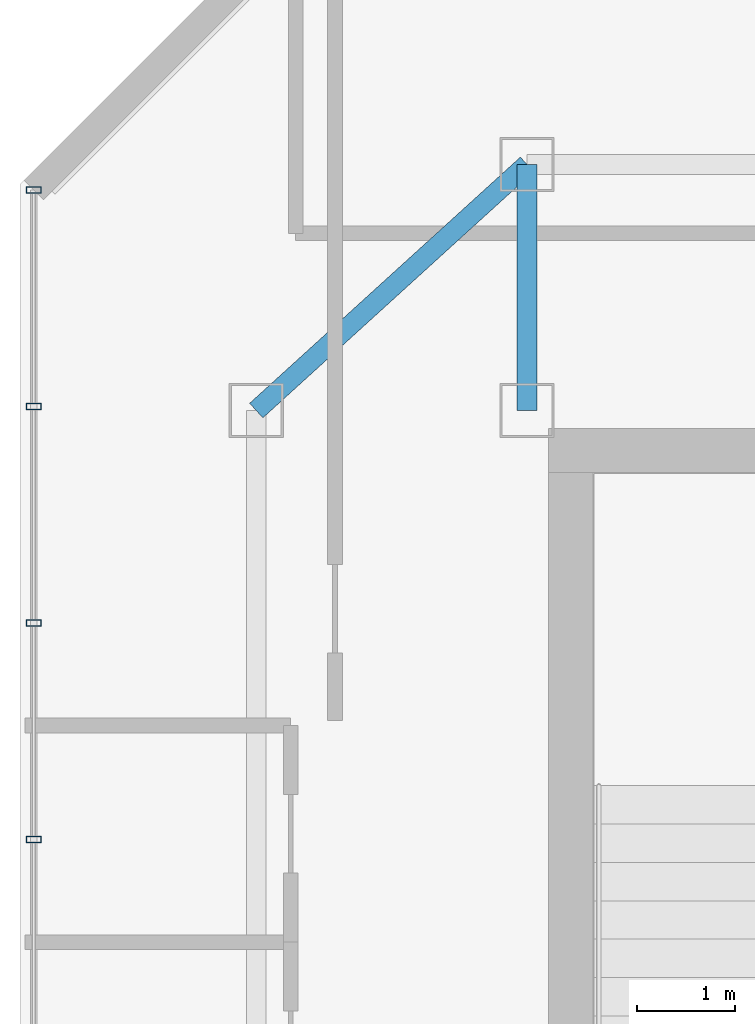
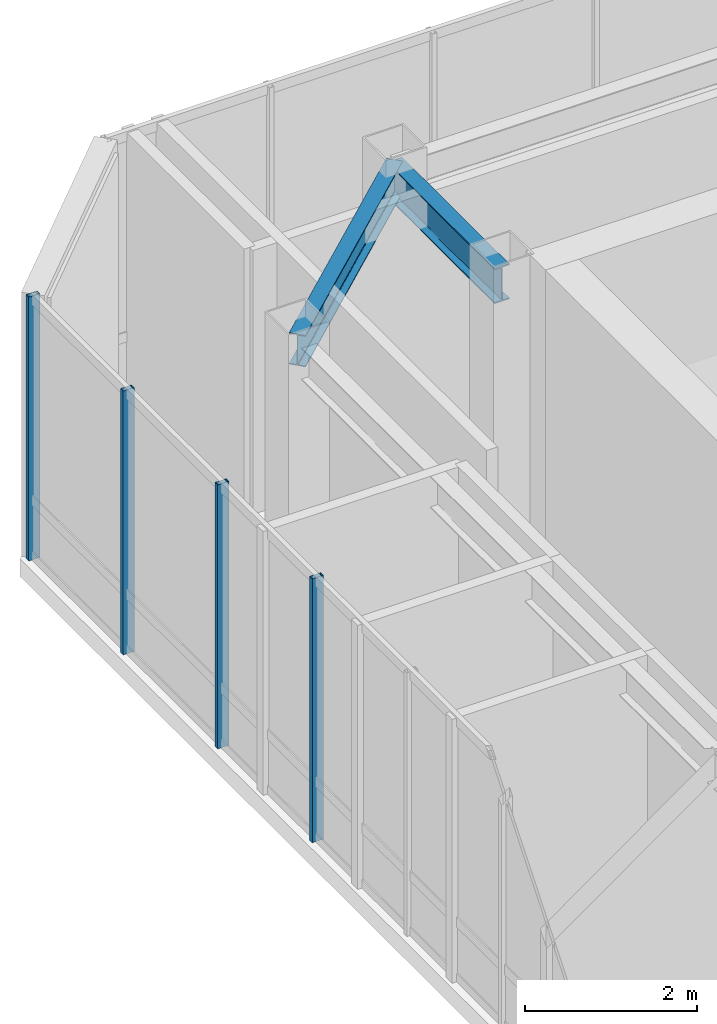
# One storey, part 9 of 23: 4 members, 2 beams, 1 element without a shape of its own.
"""IFC4 building model written with IfcOpenShell, lengths in metres."""

import ifcopenshell
import ifcopenshell.guid

model = None  # the IFC model being written
_history = None  # IfcOwnerHistory: only IFC2X3 demands one
_inside = {}  # id of a spatial element -> (the spatial element, [elements in it])
_under = {}  # id of a project, library or spatial element -> (it, [spatial elements below it])
_declared = {}  # id of a project -> (the project, [libraries it declares])
_typed = {}  # id of a type object -> (the type object, [elements of that type])
_made_of = {}  # id of a material, layer set ... -> (it, [elements and type objects made of it])


def new_model(schema):
    """Start an empty IFC model of exactly this schema.

    Asked for "IFC4X3", IfcOpenShell would pick the latest addendum, in which some entities
    have other attributes; the version numbers below select the first issue.
    IFC2X3 requires an IfcOwnerHistory on every rooted entity: one is made here for all.
    """
    global model, _history
    if schema == "IFC4X3":
        model = ifcopenshell.file(schema_version=(4, 3, 0, 0))
    else:
        model = ifcopenshell.file(schema=schema)
    _inside.clear()
    _under.clear()
    _declared.clear()
    _typed.clear()
    _made_of.clear()
    _history = None
    if model.schema == "IFC2X3":
        org = make("IfcOrganization", Name="unknown")
        user = make(
            "IfcPersonAndOrganization",
            ThePerson=make("IfcPerson", FamilyName="unknown"),
            TheOrganization=org,
        )
        app = make(
            "IfcApplication",
            ApplicationDeveloper=org,
            Version="unknown",
            ApplicationFullName="unknown",
            ApplicationIdentifier="unknown",
        )
        _history = make(
            "IfcOwnerHistory",
            OwningUser=user,
            OwningApplication=app,
            ChangeAction="ADDED",
            CreationDate=0,
        )
    return model


def make(cls, **values):
    """One entity of the class cls with the attributes given. An attribute that is None is left unset."""
    return model.create_entity(
        cls, **{name: value for name, value in values.items() if value is not None}
    )


def rooted(cls, **values):
    """An entity with a GlobalId (a new one), such as an element, a storey or a relation."""
    return make(cls, GlobalId=ifcopenshell.guid.new(), OwnerHistory=_history, **values)


def si_unit(unit_type, name, prefix=None):
    """IfcSIUnit, for example si_unit("LENGTHUNIT", "METRE", prefix="MILLI")."""
    return make("IfcSIUnit", UnitType=unit_type, Prefix=prefix, Name=name)


def assignment(units):
    """IfcUnitAssignment: the units of a project."""
    return None if units is None else make("IfcUnitAssignment", Units=units)


def point(xyz):
    """IfcCartesianPoint."""
    return None if xyz is None else make("IfcCartesianPoint", Coordinates=xyz)


def direction(xyz):
    """IfcDirection."""
    return None if xyz is None else make("IfcDirection", DirectionRatios=xyz)


def frame(location, z_axis=None, x_axis=None):
    """IfcAxis2Placement3D, a coordinate frame: its origin and axes. An axis left out is left unset."""
    return make(
        "IfcAxis2Placement3D",
        Location=point(location),
        Axis=direction(z_axis),
        RefDirection=direction(x_axis),
    )


def frame_2d(location, x_axis=None):
    """IfcAxis2Placement2D, a coordinate frame in the plane: its origin and x axis."""
    return make(
        "IfcAxis2Placement2D", Location=point(location), RefDirection=direction(x_axis)
    )


def origin():
    """The frame at (0, 0, 0) with its axes left unset."""
    return frame((0.0, 0.0, 0.0))


def origin_2d():
    """The frame at (0, 0) in the plane with its x axis left unset."""
    return frame_2d((0.0, 0.0))


def place(relative_to, where):
    """IfcLocalPlacement: puts the frame where relative to a parent placement (None: the world)."""
    return make(
        "IfcLocalPlacement", PlacementRelTo=relative_to, RelativePlacement=where
    )


def context(
    kind, dimensions, precision=None, world=None, true_north=None, identifier=None
):
    """IfcGeometricRepresentationContext, for example the 3D "Model" context."""
    return make(
        "IfcGeometricRepresentationContext",
        ContextIdentifier=identifier,
        ContextType=kind,
        CoordinateSpaceDimension=dimensions,
        Precision=precision,
        WorldCoordinateSystem=world,
        TrueNorth=true_north,
    )


def subcontext(parent, identifier, kind, view, scale=None):
    """IfcGeometricRepresentationSubContext, for example "Body" below "Model"."""
    return make(
        "IfcGeometricRepresentationSubContext",
        ContextIdentifier=identifier,
        ContextType=kind,
        ParentContext=parent,
        TargetScale=scale,
        TargetView=view,
    )


def project(units=None, contexts=None):
    """IfcProject with its units and contexts."""
    return rooted(
        "IfcProject",
        Name="project",
        RepresentationContexts=contexts,
        UnitsInContext=assignment(units),
    )


def spatial(cls, under=None, at=None, **own):
    """A site, building, storey or space (cls), placed at a placement, below another one or the project."""
    s = rooted(cls, ObjectPlacement=at, **own)
    if under is not None:
        _under.setdefault(under.id(), (under, []))[1].append(s)
    return s


def profile(cls, at=None, kind="AREA", **sizes):
    """A parametric profile (cls). Its sizes go by their IFC names, for example OverallWidth=200.0."""
    return make(cls, ProfileType=kind, Position=at, **sizes)


def hollow_rectangle(**sizes):
    """IfcRectangleHollowProfileDef."""
    return profile("IfcRectangleHollowProfileDef", **sizes)


def i_section(**sizes):
    """IfcIShapeProfileDef."""
    return profile("IfcIShapeProfileDef", **sizes)


def extrude(swept, where, along, depth):
    """IfcExtrudedAreaSolid: the profile swept, set in the frame where, extruded along a direction by depth."""
    return make(
        "IfcExtrudedAreaSolid",
        SweptArea=swept,
        Position=where,
        ExtrudedDirection=direction(along),
        Depth=depth,
    )


def shape(context_of_items, identifier, shape_type, items):
    """IfcShapeRepresentation: the items that make up one representation, for example the "Body"."""
    return make(
        "IfcShapeRepresentation",
        ContextOfItems=context_of_items,
        RepresentationIdentifier=identifier,
        RepresentationType=shape_type,
        Items=items,
    )


def material(Name=None, Category=None):
    """IfcMaterial."""
    return make("IfcMaterial", Name=Name, Category=Category)


def layer(
    of_material, thickness, ventilated=None, Name=None, Category=None, Priority=None
):
    """IfcMaterialLayer: one layer of a wall or slab, of a material (None: an air gap)."""
    return make(
        "IfcMaterialLayer",
        Material=of_material,
        LayerThickness=thickness,
        IsVentilated=ventilated,
        Name=Name,
        Category=Category,
        Priority=Priority,
    )


def layer_set(layers, Name=None):
    """IfcMaterialLayerSet."""
    return make("IfcMaterialLayerSet", MaterialLayers=layers, LayerSetName=Name)


def material_profile(
    of_material, cross_section, Name=None, Category=None, Priority=None
):
    """IfcMaterialProfile: a cross section and its material."""
    return make(
        "IfcMaterialProfile",
        Name=Name,
        Material=of_material,
        Profile=cross_section,
        Priority=Priority,
        Category=Category,
    )


def profile_set(profiles, Name=None, composite=None):
    """IfcMaterialProfileSet."""
    return make(
        "IfcMaterialProfileSet",
        Name=Name,
        MaterialProfiles=profiles,
        CompositeProfile=composite,
    )


def made_of(thing, what):
    """Note that an element or type object is made of a material, layer set ...; save() writes the relation."""
    if what is not None:
        _made_of.setdefault(what.id(), (what, []))[1].append(thing)
    return thing


def type_object(cls, material=None, **own):
    """A type object (cls), such as IfcWallType, which elements share."""
    return made_of(rooted(cls, **own), material)


def element(
    cls,
    number,
    at=None,
    inside=None,
    cuts=None,
    type_object=None,
    material=None,
    context=None,
    identifier="Body",
    shape_type=None,
    held_by="IfcProductDefinitionShape",
    body=None,
    shapes=None,
    **own,
):
    """One element of the class cls, such as IfcWall. Its Tag is "e" and its number.

    at: its placement. inside: the storey or other place that contains it. cuts: it is an
    opening in that element (IfcRelVoidsElement). A single representation is given by context,
    identifier, shape_type and body (its items); several are given by shapes. held_by: the class
    of the entity that holds the representations. save() writes the other relations.
    """
    e = rooted(cls, Tag="e%d" % number, ObjectPlacement=at, **own)
    if body is not None:
        shapes = [shape(context, identifier, shape_type, body)]
    if shapes is not None:
        e.Representation = make(held_by, Representations=shapes)
    if inside is not None:
        _inside.setdefault(inside.id(), (inside, []))[1].append(e)
    if cuts is not None:
        rooted(
            "IfcRelVoidsElement", RelatingBuildingElement=cuts, RelatedOpeningElement=e
        )
    if type_object is not None:
        _typed.setdefault(type_object.id(), (type_object, []))[1].append(e)
    return made_of(e, material)


def aggregate(whole, parts):
    """IfcRelAggregates: a whole, such as a stair, and the parts it consists of."""
    return rooted("IfcRelAggregates", RelatingObject=whole, RelatedObjects=parts)


def save(model, path):
    """Write the relations noted so far, then the file.

    IfcRelAggregates (storeys below a building ...), IfcRelContainedInSpatialStructure (elements
    in a storey), IfcRelDefinesByType, IfcRelAssociatesMaterial and IfcRelDeclares: one each for
    every whole, place, type object, material and project.
    """
    for whole, parts in _under.values():
        aggregate(whole, parts)
    for where, things in _inside.values():
        rooted(
            "IfcRelContainedInSpatialStructure",
            RelatedElements=things,
            RelatingStructure=where,
        )
    for kind, things in _typed.values():
        rooted("IfcRelDefinesByType", RelatedObjects=things, RelatingType=kind)
    for what, things in _made_of.values():
        rooted("IfcRelAssociatesMaterial", RelatedObjects=things, RelatingMaterial=what)
    for by, libraries in _declared.values():
        rooted("IfcRelDeclares", RelatingContext=by, RelatedDefinitions=libraries)
    model.write(path)


model = new_model("IFC4")

# Units and contexts
model_context = context("Model", 3, precision=1e-05, world=origin(), true_north=direction((0.0, 1.0)))
body_context = subcontext(model_context, "Body", "Model", "MODEL_VIEW")
ifc_project = project(units=[si_unit("LENGTHUNIT", "METRE"), si_unit("AREAUNIT", "SQUARE_METRE"), si_unit("VOLUMEUNIT", "CUBIC_METRE"), si_unit("PLANEANGLEUNIT", "RADIAN"), si_unit("MASSUNIT", "GRAM", prefix="KILO")], contexts=[model_context])

# Site, building, storey
site_placement = place(None, origin())
site = spatial("IfcSite", under=ifc_project, at=site_placement, CompositionType="ELEMENT")
building_placement = place(site_placement, origin())
building = spatial("IfcBuilding", under=site, at=building_placement, Name="Hatsunagi Terrace Concourse", CompositionType="ELEMENT")
storey_placement = place(building_placement, frame((0.0, 0.0, 281.949951171875)))
storey = spatial("IfcBuildingStorey", under=building, at=storey_placement, Name="L74", CompositionType="ELEMENT", Elevation=281.949951171875)

# Beam
ifc_material_1 = material(Name="Steel SN490B", Category="steel")
ifc_material_profile_1 = material_profile(ifc_material_1, i_section(OverallWidth=0.199951171875, OverallDepth=0.5, WebThickness=0.010009765625, FlangeThickness=0.01611328125, FilletRadius=0.01611328125, at=origin_2d()), Name="H-500x200x10x16")
ifc_profile_set_1 = profile_set([ifc_material_profile_1], Name="Steel SN490B")
beam_type_1 = type_object("IfcBeamType", Name="CrownFloorGirder_H_500x200", PredefinedType="BEAM", material=ifc_profile_set_1)
beam_1_placement = place(storey_placement, frame((25.550048828125, 43.300048828125, 3.5), z_axis=(0.0, 1.0, 0.0), x_axis=(-1.0, 0.0, 0.0)))
element("IfcBeam", 1, at=beam_1_placement, inside=storey, type_object=beam_type_1, Name="Beam G-07 BM-L74-CN1", PredefinedType="BEAM", context=body_context, shape_type="SweptSolid", body=[
    extrude(i_section(OverallWidth=0.199951171875, OverallDepth=0.5, WebThickness=0.010009765625, FlangeThickness=0.01611328125, FilletRadius=0.01611328125, at=origin_2d()), origin(), (0.0, 0.0, 1.0), 2.5),
])

# Curtain wall, members
ifc_material_2 = material(Name="Anodised Aluminium Alloy 6063-T5", Category="aluminium")
ifc_layer = layer(ifc_material_2, 0.199951171875)
ifc_layer_set = layer_set([ifc_layer], Name="CrownWintergarden_CW06")
curtain_wall_type = type_object("IfcCurtainWallType", Name="CrownWintergarden_CW06", PredefinedType="NOTDEFINED", material=ifc_layer_set)
curtain_wall_placement = place(storey_placement, origin())
curtain_wall = element("IfcCurtainWall", 2, at=curtain_wall_placement, inside=storey, type_object=curtain_wall_type, Name="Unitised Curtain Wall CW-06 CW-L74-07", PredefinedType="NOTDEFINED")
ifc_material_3 = material(Name="Anodised Aluminium Alloy 6063-T5", Category="aluminium")
ifc_material_profile_2 = material_profile(ifc_material_3, hollow_rectangle(XDim=0.06494140625, YDim=0.14990234375, WallThickness=0.00390625, at=origin_2d()), Name="ALU-MUL-150x65x4")
ifc_profile_set_2 = profile_set([ifc_material_profile_2], Name="Anodised Aluminium Alloy 6063-T5")
member_type = type_object("IfcMemberType", Name="CurtainWallMullion_Crown_150x65", PredefinedType="MULLION", material=ifc_profile_set_2)
member_1_placement = place(storey_placement, frame((20.5400390625, 38.94091796875, 0.0), z_axis=(0.0, 0.0, 1.0), x_axis=(0.0, 1.0, 0.0)))
member_1 = element("IfcMember", 3, at=member_1_placement, type_object=member_type, Name="Curtain Wall Mullion MUL-03", PredefinedType="MULLION", context=body_context, shape_type="SweptSolid", body=[
    extrude(hollow_rectangle(XDim=0.06494140625, YDim=0.14990234375, WallThickness=0.00390625, at=origin_2d()), origin(), (0.0, 0.0, 1.0), 3.75),
])
member_2_placement = place(storey_placement, frame((20.5400390625, 41.14208984375, 0.0), z_axis=(0.0, 0.0, 1.0), x_axis=(0.0, 1.0, 0.0)))
member_2 = element("IfcMember", 4, at=member_2_placement, type_object=member_type, Name="Curtain Wall Mullion MUL-03", PredefinedType="MULLION", context=body_context, shape_type="SweptSolid", body=[
    extrude(hollow_rectangle(XDim=0.06494140625, YDim=0.14990234375, WallThickness=0.00390625, at=origin_2d()), origin(), (0.0, 0.0, 1.0), 3.75),
])
member_3_placement = place(storey_placement, frame((20.5400390625, 43.342041015625, 0.0), z_axis=(0.0, 0.0, 1.0), x_axis=(0.0, 1.0, 0.0)))
member_3 = element("IfcMember", 5, at=member_3_placement, type_object=member_type, Name="Curtain Wall Mullion MUL-03", PredefinedType="MULLION", context=body_context, shape_type="SweptSolid", body=[
    extrude(hollow_rectangle(XDim=0.06494140625, YDim=0.14990234375, WallThickness=0.00390625, at=origin_2d()), origin(), (0.0, 0.0, 1.0), 3.75),
])
member_4_placement = place(storey_placement, frame((20.5400390625, 45.5419921875, 0.0), z_axis=(0.0, 0.0, 1.0), x_axis=(0.0, 1.0, 0.0)))
member_4 = element("IfcMember", 6, at=member_4_placement, type_object=member_type, Name="Curtain Wall Mullion MUL-03", PredefinedType="MULLION", context=body_context, shape_type="SweptSolid", body=[
    extrude(hollow_rectangle(XDim=0.06494140625, YDim=0.14990234375, WallThickness=0.00390625, at=origin_2d()), origin(), (0.0, 0.0, 1.0), 3.75),
])
aggregate(curtain_wall, [member_1, member_2, member_3, member_4])

# Beam
ifc_material_4 = material(Name="Steel SN490B", Category="steel")
ifc_material_profile_3 = material_profile(ifc_material_4, i_section(OverallWidth=0.199951171875, OverallDepth=0.449951171875, WebThickness=0.009033203125, FlangeThickness=0.013916015625, FilletRadius=0.01611328125, at=origin_2d()), Name="H-450x200x9x14")
ifc_profile_set_3 = profile_set([ifc_material_profile_3], Name="Steel SN490B")
beam_type_2 = type_object("IfcBeamType", Name="PerimeterSpandrel_H_450x200", PredefinedType="SPANDREL", material=ifc_profile_set_3)
beam_2_placement = place(storey_placement, frame((22.800048828125, 43.300048828125, 3.525146484375), z_axis=(0.739940073396, 0.672672793996, 0.0), x_axis=(-0.672672793996, 0.739940073396, 0.0)))
element("IfcBeam", 7, at=beam_2_placement, inside=storey, type_object=beam_type_2, Name="Beam SP-02 BM-L74-CWEW-N", PredefinedType="SPANDREL", context=body_context, shape_type="SweptSolid", body=[
    extrude(i_section(OverallWidth=0.199951171875, OverallDepth=0.449951171875, WebThickness=0.009033203125, FlangeThickness=0.013916015625, FilletRadius=0.01611328125, at=origin_2d()), origin(), (0.0, 0.0, 1.0), 3.716552734375),
])

save(model, "model.ifc")
